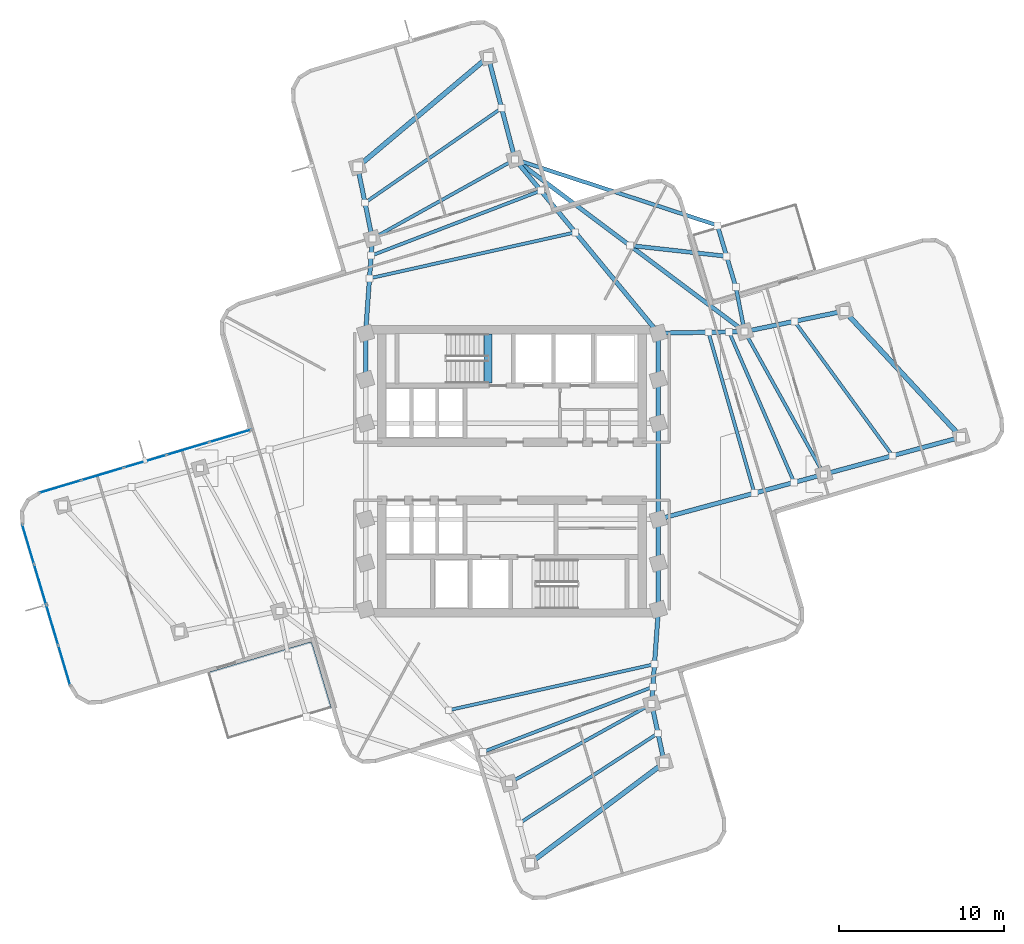
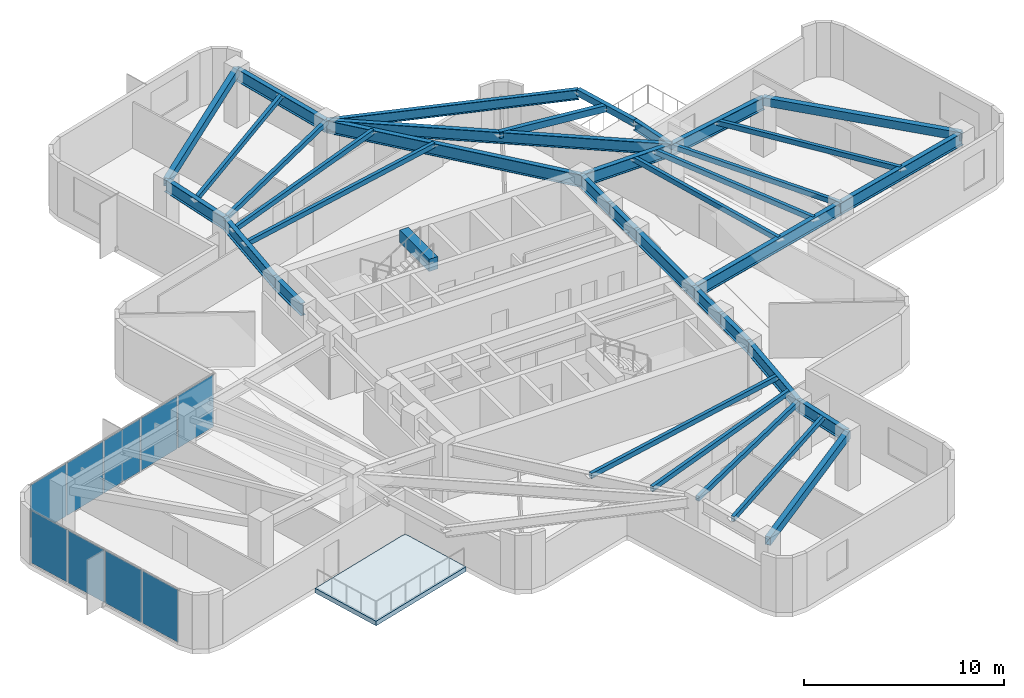
# One storey, part 4 of 11: 37 beams, 9 plates, 1 slab, 2 elements without a shape of their own.
"""IFC4 building model written with IfcOpenShell, lengths in metres."""

from ifc_helpers import new_model, si_unit, direction, frame, origin, origin_2d, place, context, subcontext, project, spatial, polyline, rectangle, hollow_rectangle, i_section, outline, extrude, material, layer, layer_set, material_profile, profile_set, type_object, element, aggregate, save


model = new_model("IFC4")

# Units and contexts
model_context = context("Model", 3, precision=1e-05, world=origin(), true_north=direction((0.0, 1.0)))
body_context = subcontext(model_context, "Body", "Model", "MODEL_VIEW")
ifc_project = project(units=[si_unit("LENGTHUNIT", "METRE"), si_unit("AREAUNIT", "SQUARE_METRE"), si_unit("VOLUMEUNIT", "CUBIC_METRE"), si_unit("PLANEANGLEUNIT", "RADIAN"), si_unit("MASSUNIT", "GRAM", prefix="KILO")], contexts=[model_context])

# Site, building, storey
site_placement = place(None, origin())
site = spatial("IfcSite", under=ifc_project, at=site_placement, CompositionType="ELEMENT")
building_placement = place(site_placement, origin())
building = spatial("IfcBuilding", under=site, at=building_placement, Name="Solmarez Civic Tower", CompositionType="ELEMENT")
storey_placement = place(building_placement, frame((0.0, 0.0, 141.47998046875)))
storey = spatial("IfcBuildingStorey", under=building, at=storey_placement, Name="L37", CompositionType="ELEMENT", Elevation=141.47998046875)

# Beams
ifc_material_1 = material(Name="Steel S355", Category="steel")
ifc_material_profile_1 = material_profile(ifc_material_1, hollow_rectangle(XDim=0.199951171875, YDim=0.300048828125, WallThickness=0.011962890625, at=origin_2d()), Name="HSS300X200X12")
ifc_profile_set_1 = profile_set([ifc_material_profile_1], Name="Steel S355")
beam_type_1 = type_object("IfcBeamType", Name="BM-JS-HSS300X200", PredefinedType="JOIST", material=ifc_profile_set_1)
beam_1_placement = place(storey_placement, frame((18.860107421875, -0.18310546875, 3.169921875), z_axis=(-0.485852902718, 0.874040592261, 0.0), x_axis=(-0.874040592261, -0.485852902718, 0.0)))
element("IfcBeam", 1, at=beam_1_placement, inside=storey, type_object=beam_type_1, Name="L37 Secondary Floor Joist BM-L37-EA-T1", PredefinedType="JOIST", context=body_context, shape_type="SweptSolid", body=[
    extrude(hollow_rectangle(XDim=0.199951171875, YDim=0.300048828125, WallThickness=0.011962890625, at=origin_2d()), origin(), (0.0, 0.0, 1.0), 9.87158203125),
])
beam_2_placement = place(storey_placement, frame((23.006103515625, 0.94091796875, 3.169921875), z_axis=(-0.589058914091, 0.808090091345, 0.0), x_axis=(-0.808090091345, -0.589058914091, 0.0)))
element("IfcBeam", 2, at=beam_2_placement, inside=storey, type_object=beam_type_1, Name="L37 Secondary Floor Joist JS-L37-EA-M2", PredefinedType="JOIST", context=body_context, shape_type="SweptSolid", body=[
    extrude(hollow_rectangle(XDim=0.199951171875, YDim=0.300048828125, WallThickness=0.011962890625, at=origin_2d()), origin(), (0.0, 0.0, 1.0), 10.05859375),
])
beam_3_placement = place(storey_placement, frame((14.656005859375, -1.323974609375, 3.169921875), z_axis=(-0.27492825036, 0.961464745664, 0.0), x_axis=(-0.961464745664, -0.27492825036, 0.0)))
element("IfcBeam", 3, at=beam_3_placement, inside=storey, type_object=beam_type_1, Name="L37 Secondary Floor Joist JS-L37-EA-M11", PredefinedType="JOIST", context=body_context, shape_type="SweptSolid", body=[
    extrude(hollow_rectangle(XDim=0.199951171875, YDim=0.300048828125, WallThickness=0.011962890625, at=origin_2d()), origin(), (0.0, 0.0, 1.0), 10.118896484375),
])
beam_4_placement = place(storey_placement, frame((17.05810546875, -0.672119140625, 3.169921875), z_axis=(-0.396735074316, 0.917933157048, 0.0), x_axis=(-0.917933157048, -0.396735074316, 0.0)))
element("IfcBeam", 4, at=beam_4_placement, inside=storey, type_object=beam_type_1, Name="L37 Secondary Floor Joist JS-L37-EA-M12", PredefinedType="JOIST", context=body_context, shape_type="SweptSolid", body=[
    extrude(hollow_rectangle(XDim=0.199951171875, YDim=0.300048828125, WallThickness=0.011962890625, at=origin_2d()), origin(), (0.0, 0.0, 1.0), 9.91357421875),
])
beam_5_placement = place(storey_placement, frame((0.18310546875, 18.860107421875, 3.169921875), z_axis=(-0.874040592261, -0.485852902718, 0.0), x_axis=(0.485852902718, -0.874040592261, 0.0)))
element("IfcBeam", 5, at=beam_5_placement, inside=storey, type_object=beam_type_1, Name="L37 Secondary Floor Joist BM-L37-NA-T1", PredefinedType="JOIST", context=body_context, shape_type="SweptSolid", body=[
    extrude(hollow_rectangle(XDim=0.199951171875, YDim=0.300048828125, WallThickness=0.011962890625, at=origin_2d()), origin(), (0.0, 0.0, 1.0), 9.87158203125),
])
beam_6_placement = place(storey_placement, frame((-0.626953125, 21.9560546875, 3.169921875), z_axis=(-0.822185194468, -0.56922008573, 0.0), x_axis=(0.56922008573, -0.822185194468, 0.0)))
element("IfcBeam", 6, at=beam_6_placement, inside=storey, type_object=beam_type_1, Name="L37 Secondary Floor Joist JS-L37-NA-M2", PredefinedType="JOIST", context=body_context, shape_type="SweptSolid", body=[
    extrude(hollow_rectangle(XDim=0.199951171875, YDim=0.300048828125, WallThickness=0.011962890625, at=origin_2d()), origin(), (0.0, 0.0, 1.0), 10.048828125),
])
beam_7_placement = place(storey_placement, frame((3.822998046875, 14.446044921875, 3.169921875), z_axis=(-0.975887310906, -0.218274955988, 0.0), x_axis=(0.218274955988, -0.975887310906, 0.0)))
element("IfcBeam", 7, at=beam_7_placement, inside=storey, type_object=beam_type_1, Name="L37 Secondary Floor Joist JS-L37-NA-M11", PredefinedType="JOIST", context=body_context, shape_type="SweptSolid", body=[
    extrude(hollow_rectangle(XDim=0.199951171875, YDim=0.300048828125, WallThickness=0.011962890625, at=origin_2d()), origin(), (0.0, 0.0, 1.0), 12.745361328125),
])
beam_8_placement = place(storey_placement, frame((1.742919921875, 16.968017578125, 3.169921875), z_axis=(-0.933754408709, -0.357914381125, 0.0), x_axis=(0.357914381125, -0.933754408709, 0.0)))
element("IfcBeam", 8, at=beam_8_placement, inside=storey, type_object=beam_type_1, Name="L37 Secondary Floor Joist JS-L37-NA-M12", PredefinedType="JOIST", context=body_context, shape_type="SweptSolid", body=[
    extrude(hollow_rectangle(XDim=0.199951171875, YDim=0.300048828125, WallThickness=0.011962890625, at=origin_2d()), origin(), (0.0, 0.0, 1.0), 10.989013671875),
])
beam_9_placement = place(storey_placement, frame((-0.18310546875, -18.860107421875, 3.169921875), z_axis=(0.874040592261, 0.485852902718, 0.0), x_axis=(-0.485852902718, 0.874040592261, 0.0)))
element("IfcBeam", 9, at=beam_9_placement, inside=storey, type_object=beam_type_1, Name="L37 Secondary Floor Joist BM-L37-SA-T1", PredefinedType="JOIST", context=body_context, shape_type="SweptSolid", body=[
    extrude(hollow_rectangle(XDim=0.199951171875, YDim=0.300048828125, WallThickness=0.011962890625, at=origin_2d()), origin(), (0.0, 0.0, 1.0), 9.87158203125),
])
beam_10_placement = place(storey_placement, frame((0.449951171875, -21.279052734375, 3.169921875), z_axis=(0.83864684805, 0.54467555871, 0.0), x_axis=(-0.54467555871, 0.83864684805, 0.0)))
element("IfcBeam", 10, at=beam_10_placement, inside=storey, type_object=beam_type_1, Name="L37 Secondary Floor Joist JS-L37-SA-M2", PredefinedType="JOIST", context=body_context, shape_type="SweptSolid", body=[
    extrude(hollow_rectangle(XDim=0.199951171875, YDim=0.300048828125, WallThickness=0.011962890625, at=origin_2d()), origin(), (0.0, 0.0, 1.0), 9.987548828125),
])
beam_11_placement = place(storey_placement, frame((-3.822998046875, -14.446044921875, 3.169921875), z_axis=(0.975887310906, 0.218274955988, 0.0), x_axis=(-0.218274955988, 0.975887310906, 0.0)))
element("IfcBeam", 11, at=beam_11_placement, inside=storey, type_object=beam_type_1, Name="L37 Secondary Floor Joist JS-L37-SA-M11", PredefinedType="JOIST", context=body_context, shape_type="SweptSolid", body=[
    extrude(hollow_rectangle(XDim=0.199951171875, YDim=0.300048828125, WallThickness=0.011962890625, at=origin_2d()), origin(), (0.0, 0.0, 1.0), 12.745361328125),
])
beam_12_placement = place(storey_placement, frame((-1.742919921875, -16.968017578125, 3.169921875), z_axis=(0.933754408709, 0.357914381125, 0.0), x_axis=(-0.357914381125, 0.933754408709, 0.0)))
element("IfcBeam", 12, at=beam_12_placement, inside=storey, type_object=beam_type_1, Name="L37 Secondary Floor Joist JS-L37-SA-M12", PredefinedType="JOIST", context=body_context, shape_type="SweptSolid", body=[
    extrude(hollow_rectangle(XDim=0.199951171875, YDim=0.300048828125, WallThickness=0.011962890625, at=origin_2d()), origin(), (0.0, 0.0, 1.0), 10.989013671875),
])
ifc_material_2 = material(Name="Concrete C50/60", Category="concrete")
ifc_material_profile_2 = material_profile(ifc_material_2, rectangle(XDim=0.5, YDim=0.75, at=origin_2d()), Name="RC500X750")
ifc_profile_set_2 = profile_set([ifc_material_profile_2], Name="Concrete C50/60")
beam_type_2 = type_object("IfcBeamType", Name="BM-PR-RC500X750", PredefinedType="BEAM", material=ifc_profile_set_2)
beam_13_placement = place(storey_placement, frame((-1.449951171875, 5.340087890625, 3.23291015625), z_axis=(0.0, 1.0, 0.0), x_axis=(-1.0, 0.0, 0.0)))
element("IfcBeam", 13, at=beam_13_placement, inside=storey, type_object=beam_type_2, Name="L37 North Stair Threshold Beam", PredefinedType="BEAM", context=body_context, shape_type="SweptSolid", body=[
    extrude(rectangle(XDim=0.5, YDim=0.75, at=origin_2d()), origin(), (0.0, 0.0, 1.0), 2.9599609375),
])
ifc_material_profile_3 = material_profile(ifc_material_1, i_section(OverallWidth=0.25390625, OverallDepth=0.68798828125, WebThickness=0.01318359375, FlangeThickness=0.02099609375, at=origin_2d()), Name="W27X102")
ifc_profile_set_3 = profile_set([ifc_material_profile_3], Name="Steel S355")
beam_type_3 = type_object("IfcBeamType", Name="BM-PR-W27X102", PredefinedType="BEAM", material=ifc_profile_set_3)
beam_14_placement = place(storey_placement, frame((14.06396484375, 8.445068359375, 2.97607421875), z_axis=(-0.799878431775, 0.600162056766, 0.0), x_axis=(-0.600162056766, -0.799878431775, 0.0)))
element("IfcBeam", 14, at=beam_14_placement, inside=storey, type_object=beam_type_3, Name="L37 Primary Floor Beam BM-L37-BALC-NEC", PredefinedType="BEAM", context=body_context, shape_type="SweptSolid", body=[
    extrude(i_section(OverallWidth=0.25390625, OverallDepth=0.68798828125, WebThickness=0.01318359375, FlangeThickness=0.02099609375, at=origin_2d()), origin(), (0.0, 0.0, 1.0), 17.353759765625),
])
ifc_material_profile_4 = material_profile(ifc_material_1, i_section(OverallWidth=0.26708984375, OverallDepth=0.761962890625, WebThickness=0.014404296875, FlangeThickness=0.021484375, at=origin_2d()), Name="W30X116")
ifc_profile_set_4 = profile_set([ifc_material_profile_4], Name="Steel S355")
beam_type_4 = type_object("IfcBeamType", Name="BM-PR-W30X116", PredefinedType="BEAM", material=ifc_profile_set_4)
for number, where, z_axis, x_axis, name in (
    (15, (-8.85009765625, 5.550048828125, 2.93896484375), (0.0, 1.0, 0.0), (-1.0, 0.0, 0.0), "L37 Primary Floor Beam BM-L37-HC4-HC9"),
    (16, (8.85009765625, -8.35009765625, 2.93896484375), (0.0, 1.0, 0.0), (-1.0, 0.0, 0.0), "L37 Primary Floor Beam BM-L37-HC10-HC5"),
):
    element("IfcBeam", number, at=place(storey_placement, frame(where, z_axis=z_axis, x_axis=x_axis)), inside=storey, type_object=beam_type_4, Name=name, PredefinedType="BEAM", context=body_context, shape_type="SweptSolid", body=[
        extrude(i_section(OverallWidth=0.26708984375, OverallDepth=0.761962890625, WebThickness=0.014404296875, FlangeThickness=0.021484375, at=origin_2d()), origin(), (0.0, 0.0, 1.0), 2.800048828125),
    ])
beam_15_placement = place(storey_placement, frame((8.85009765625, -5.550048828125, 2.93896484375), z_axis=(0.0, 1.0, 0.0), x_axis=(-1.0, 0.0, 0.0)))
element("IfcBeam", 17, at=beam_15_placement, inside=storey, type_object=beam_type_4, Name="L37 Primary Floor Beam BM-L37-HC5-HC6", PredefinedType="BEAM", context=body_context, shape_type="SweptSolid", body=[
    extrude(i_section(OverallWidth=0.26708984375, OverallDepth=0.761962890625, WebThickness=0.014404296875, FlangeThickness=0.021484375, at=origin_2d()), origin(), (0.0, 0.0, 1.0), 2.650146484375),
])
beam_16_placement = place(storey_placement, frame((8.85009765625, -2.89990234375, 2.93896484375), z_axis=(0.0, 1.0, 0.0), x_axis=(-1.0, 0.0, 0.0)))
element("IfcBeam", 18, at=beam_16_placement, inside=storey, type_object=beam_type_4, Name="L37 Primary Floor Beam BM-L37-HC6-HC7", PredefinedType="BEAM", context=body_context, shape_type="SweptSolid", body=[
    extrude(i_section(OverallWidth=0.26708984375, OverallDepth=0.761962890625, WebThickness=0.014404296875, FlangeThickness=0.021484375, at=origin_2d()), origin(), (0.0, 0.0, 1.0), 5.7998046875),
])
beam_17_placement = place(storey_placement, frame((8.85009765625, 2.89990234375, 2.93896484375), z_axis=(0.0, 1.0, 0.0), x_axis=(-1.0, 0.0, 0.0)))
element("IfcBeam", 19, at=beam_17_placement, inside=storey, type_object=beam_type_4, Name="L37 Primary Floor Beam BM-L37-HC7-HC8", PredefinedType="BEAM", context=body_context, shape_type="SweptSolid", body=[
    extrude(i_section(OverallWidth=0.26708984375, OverallDepth=0.761962890625, WebThickness=0.014404296875, FlangeThickness=0.021484375, at=origin_2d()), origin(), (0.0, 0.0, 1.0), 2.650146484375),
])
beam_18_placement = place(storey_placement, frame((8.85009765625, 5.550048828125, 2.93896484375), z_axis=(0.0, 1.0, 0.0), x_axis=(-1.0, 0.0, 0.0)))
element("IfcBeam", 20, at=beam_18_placement, inside=storey, type_object=beam_type_4, Name="L37 Primary Floor Beam BM-L37-HC8-HC11", PredefinedType="BEAM", context=body_context, shape_type="SweptSolid", body=[
    extrude(i_section(OverallWidth=0.26708984375, OverallDepth=0.761962890625, WebThickness=0.014404296875, FlangeThickness=0.021484375, at=origin_2d()), origin(), (0.0, 0.0, 1.0), 2.800048828125),
])
beam_19_placement = place(storey_placement, frame((8.85009765625, -2.89990234375, 2.93896484375), z_axis=(0.965086289853, 0.261932153691, 0.0), x_axis=(-0.261932153691, 0.965086289853, 0.0)))
element("IfcBeam", 21, at=beam_19_placement, inside=storey, type_object=beam_type_4, Name="L37 Primary Floor Beam BM-L37-EA-R1A", PredefinedType="BEAM", context=body_context, shape_type="SweptSolid", body=[
    extrude(i_section(OverallWidth=0.26708984375, OverallDepth=0.761962890625, WebThickness=0.014404296875, FlangeThickness=0.021484375, at=origin_2d()), origin(), (0.0, 0.0, 1.0), 10.3720703125),
])
beam_20_placement = place(storey_placement, frame((8.85009765625, 8.35009765625, 2.93896484375), z_axis=(0.999834147765, 0.018212000538, 0.0), x_axis=(-0.018212000538, 0.999834147765, 0.0)))
element("IfcBeam", 22, at=beam_20_placement, inside=storey, type_object=beam_type_4, Name="L37 Primary Floor Beam BM-L37-EA-R1B", PredefinedType="BEAM", context=body_context, shape_type="SweptSolid", body=[
    extrude(i_section(OverallWidth=0.26708984375, OverallDepth=0.761962890625, WebThickness=0.014404296875, FlangeThickness=0.021484375, at=origin_2d()), origin(), (0.0, 0.0, 1.0), 5.21484375),
])
beam_21_placement = place(storey_placement, frame((18.860107421875, -0.18310546875, 2.93896484375), z_axis=(0.965195296066, 0.261530190326, 0.0), x_axis=(-0.261530190326, 0.965195296066, 0.0)))
element("IfcBeam", 23, at=beam_21_placement, inside=storey, type_object=beam_type_4, Name="L37 Primary Floor Beam BM-L37-EA-R2A", PredefinedType="BEAM", context=body_context, shape_type="SweptSolid", body=[
    extrude(i_section(OverallWidth=0.26708984375, OverallDepth=0.761962890625, WebThickness=0.014404296875, FlangeThickness=0.021484375, at=origin_2d()), origin(), (0.0, 0.0, 1.0), 8.592041015625),
])
beam_22_placement = place(storey_placement, frame((14.06396484375, 8.445068359375, 2.93896484375), z_axis=(0.979311082476, 0.202360578523, 0.0), x_axis=(-0.202360578523, 0.979311082476, 0.0)))
element("IfcBeam", 24, at=beam_22_placement, inside=storey, type_object=beam_type_4, Name="L37 Primary Floor Beam BM-L37-EA-R2B", PredefinedType="BEAM", context=body_context, shape_type="SweptSolid", body=[
    extrude(i_section(OverallWidth=0.26708984375, OverallDepth=0.761962890625, WebThickness=0.014404296875, FlangeThickness=0.021484375, at=origin_2d()), origin(), (0.0, 0.0, 1.0), 6.161376953125),
])
beam_23_placement = place(storey_placement, frame((8.85009765625, 8.35009765625, 2.93896484375), z_axis=(-0.636218453069, 0.77150896299, 0.0), x_axis=(-0.77150896299, -0.636218453069, 0.0)))
element("IfcBeam", 25, at=beam_23_placement, inside=storey, type_object=beam_type_4, Name="L37 Primary Floor Beam BM-L37-NA-R1A", PredefinedType="BEAM", context=body_context, shape_type="SweptSolid", body=[
    extrude(i_section(OverallWidth=0.26708984375, OverallDepth=0.761962890625, WebThickness=0.014404296875, FlangeThickness=0.021484375, at=origin_2d()), origin(), (0.0, 0.0, 1.0), 13.62255859375),
])
beam_24_placement = place(storey_placement, frame((-8.85009765625, 8.35009765625, 2.93896484375), z_axis=(0.070707897353, 0.997497064282, 0.0), x_axis=(-0.997497064282, 0.070707897353, 0.0)))
element("IfcBeam", 26, at=beam_24_placement, inside=storey, type_object=beam_type_4, Name="L37 Primary Floor Beam BM-L37-NA-R1B", PredefinedType="BEAM", context=body_context, shape_type="SweptSolid", body=[
    extrude(i_section(OverallWidth=0.26708984375, OverallDepth=0.761962890625, WebThickness=0.014404296875, FlangeThickness=0.021484375, at=origin_2d()), origin(), (0.0, 0.0, 1.0), 5.728271484375),
])
beam_25_placement = place(storey_placement, frame((0.18310546875, 18.860107421875, 2.93896484375), z_axis=(-0.25312990791, 0.967432297229, 0.0), x_axis=(-0.967432297229, -0.25312990791, 0.0)))
element("IfcBeam", 27, at=beam_25_placement, inside=storey, type_object=beam_type_4, Name="L37 Primary Floor Beam BM-L37-NA-R2A", PredefinedType="BEAM", context=body_context, shape_type="SweptSolid", body=[
    extrude(i_section(OverallWidth=0.26708984375, OverallDepth=0.761962890625, WebThickness=0.014404296875, FlangeThickness=0.021484375, at=origin_2d()), origin(), (0.0, 0.0, 1.0), 6.400390625),
])
beam_26_placement = place(storey_placement, frame((-8.445068359375, 14.06396484375, 2.93896484375), z_axis=(-0.200222099018, 0.979750535118, 0.0), x_axis=(-0.979750535118, -0.200222099018, 0.0)))
element("IfcBeam", 28, at=beam_26_placement, inside=storey, type_object=beam_type_4, Name="L37 Primary Floor Beam BM-L37-NA-R2B", PredefinedType="BEAM", context=body_context, shape_type="SweptSolid", body=[
    extrude(i_section(OverallWidth=0.26708984375, OverallDepth=0.761962890625, WebThickness=0.014404296875, FlangeThickness=0.021484375, at=origin_2d()), origin(), (0.0, 0.0, 1.0), 4.434814453125),
])
beam_27_placement = place(storey_placement, frame((8.85009765625, -8.35009765625, 2.93896484375), z_axis=(-0.070707897353, -0.997497064282, 0.0), x_axis=(0.997497064282, -0.070707897353, 0.0)))
element("IfcBeam", 29, at=beam_27_placement, inside=storey, type_object=beam_type_4, Name="L37 Primary Floor Beam BM-L37-SA-R1B", PredefinedType="BEAM", context=body_context, shape_type="SweptSolid", body=[
    extrude(i_section(OverallWidth=0.26708984375, OverallDepth=0.761962890625, WebThickness=0.014404296875, FlangeThickness=0.021484375, at=origin_2d()), origin(), (0.0, 0.0, 1.0), 5.728271484375),
])
beam_28_placement = place(storey_placement, frame((8.445068359375, -14.06396484375, 2.93896484375), z_axis=(0.210056967216, -0.977689148208, 0.0), x_axis=(0.977689148208, 0.210056967216, 0.0)))
element("IfcBeam", 30, at=beam_28_placement, inside=storey, type_object=beam_type_4, Name="L37 Primary Floor Beam BM-L37-SA-R2B", PredefinedType="BEAM", context=body_context, shape_type="SweptSolid", body=[
    extrude(i_section(OverallWidth=0.26708984375, OverallDepth=0.761962890625, WebThickness=0.014404296875, FlangeThickness=0.021484375, at=origin_2d()), origin(), (0.0, 0.0, 1.0), 3.632080078125),
])
ifc_material_profile_5 = material_profile(ifc_material_1, hollow_rectangle(XDim=0.25, YDim=0.39990234375, WallThickness=0.01611328125, at=origin_2d()), Name="HSS400X250X16")
ifc_profile_set_5 = profile_set([ifc_material_profile_5], Name="Steel S355")
beam_type_5 = type_object("IfcBeamType", Name="BM-SP-HSS400X250", PredefinedType="SPANDREL", material=ifc_profile_set_5)
beam_29_placement = place(storey_placement, frame((13.533935546875, 11.1298828125, 3.1201171875), z_axis=(-0.285607467662, 0.958346688008, 0.0), x_axis=(-0.958346688008, -0.285607467662, 0.0)))
element("IfcBeam", 31, at=beam_29_placement, inside=storey, type_object=beam_type_5, Name="L37 Perimeter Spandrel Beam BM-L37-BALC-NEE", PredefinedType="SPANDREL", context=body_context, shape_type="SweptSolid", body=[
    extrude(hollow_rectangle(XDim=0.25, YDim=0.39990234375, WallThickness=0.01611328125, at=origin_2d()), origin(), (0.0, 0.0, 1.0), 3.900390625),
])
beam_30_placement = place(storey_placement, frame((7.123046875, 13.652099609375, 3.1201171875), z_axis=(0.993834607038, -0.110872782293, 0.0), x_axis=(0.110872782293, 0.993834607038, 0.0)))
element("IfcBeam", 32, at=beam_30_placement, inside=storey, type_object=beam_type_5, Name="L37 Perimeter Spandrel Beam BM-L37-BALC-NEM", PredefinedType="SPANDREL", context=body_context, shape_type="SweptSolid", body=[
    extrude(hollow_rectangle(XDim=0.25, YDim=0.39990234375, WallThickness=0.01611328125, at=origin_2d()), origin(), (0.0, 0.0, 1.0), 5.890380859375),
])
ifc_material_profile_6 = material_profile(ifc_material_1, hollow_rectangle(XDim=0.300048828125, YDim=0.5, WallThickness=0.02001953125, at=origin_2d()), Name="HSS500X300X20")
ifc_profile_set_6 = profile_set([ifc_material_profile_6], Name="Steel S355")
beam_type_6 = type_object("IfcBeamType", Name="BM-SP-HSS500X300", PredefinedType="SPANDREL", material=ifc_profile_set_6)
beam_31_placement = place(storey_placement, frame((27.153076171875, 2.06396484375, 3.070068359375), z_axis=(-0.679007792344, 0.734131063187, 0.0), x_axis=(-0.734131063187, -0.679007792344, 0.0)))
element("IfcBeam", 33, at=beam_31_placement, inside=storey, type_object=beam_type_6, Name="L37 Perimeter Spandrel Beam BM-L37-EA-T2", PredefinedType="SPANDREL", context=body_context, shape_type="SweptSolid", body=[
    extrude(hollow_rectangle(XDim=0.300048828125, YDim=0.5, WallThickness=0.02001953125, at=origin_2d()), origin(), (0.0, 0.0, 1.0), 10.390380859375),
])
beam_32_placement = place(storey_placement, frame((-1.43701171875, 25.052001953125, 3.070068359375), z_axis=(-0.765206846446, -0.643784499777, 0.0), x_axis=(0.643784499777, -0.765206846446, 0.0)))
element("IfcBeam", 34, at=beam_32_placement, inside=storey, type_object=beam_type_6, Name="L37 Perimeter Spandrel Beam BM-L37-NA-T2", PredefinedType="SPANDREL", context=body_context, shape_type="SweptSolid", body=[
    extrude(hollow_rectangle(XDim=0.300048828125, YDim=0.5, WallThickness=0.02001953125, at=origin_2d()), origin(), (0.0, 0.0, 1.0), 10.31884765625),
])
beam_33_placement = place(storey_placement, frame((1.0830078125, -23.697021484375, 3.070068359375), z_axis=(0.800553888314, 0.599260771205, 0.0), x_axis=(-0.599260771205, 0.800553888314, 0.0)))
element("IfcBeam", 35, at=beam_33_placement, inside=storey, type_object=beam_type_6, Name="L37 Perimeter Spandrel Beam BM-L37-SA-T2", PredefinedType="SPANDREL", context=body_context, shape_type="SweptSolid", body=[
    extrude(hollow_rectangle(XDim=0.300048828125, YDim=0.5, WallThickness=0.02001953125, at=origin_2d()), origin(), (0.0, 0.0, 1.0), 10.149169921875),
])
ifc_material_profile_7 = material_profile(ifc_material_1, i_section(OverallWidth=0.22900390625, OverallDepth=0.612060546875, WebThickness=0.011962890625, FlangeThickness=0.01953125, at=origin_2d()), Name="W24X84")
ifc_profile_set_7 = profile_set([ifc_material_profile_7], Name="Steel S355")
beam_type_7 = type_object("IfcBeamType", Name="BM-SP-W24X84", PredefinedType="SPANDREL", material=ifc_profile_set_7)
beam_34_placement = place(storey_placement, frame((14.06396484375, 8.445068359375, 3.013916015625), z_axis=(-0.19367935475, 0.981064884472, 0.0), x_axis=(-0.981064884472, -0.19367935475, 0.0)))
element("IfcBeam", 36, at=beam_34_placement, inside=storey, type_object=beam_type_7, Name="L37 Perimeter Spandrel Beam BM-L37-BALC-NE1", PredefinedType="SPANDREL", context=body_context, shape_type="SweptSolid", body=[
    extrude(i_section(OverallWidth=0.22900390625, OverallDepth=0.612060546875, WebThickness=0.011962890625, FlangeThickness=0.01953125, at=origin_2d()), origin(), (0.0, 0.0, 1.0), 2.736572265625),
])
beam_35_placement = place(storey_placement, frame((0.18310546875, 18.860107421875, 3.013916015625), z_axis=(0.950685834531, -0.310155515866, 0.0), x_axis=(0.310155515866, 0.950685834531, 0.0)))
element("IfcBeam", 37, at=beam_35_placement, inside=storey, type_object=beam_type_7, Name="L37 Perimeter Spandrel Beam BM-L37-BALC-NE2", PredefinedType="SPANDREL", context=body_context, shape_type="SweptSolid", body=[
    extrude(i_section(OverallWidth=0.22900390625, OverallDepth=0.612060546875, WebThickness=0.011962890625, FlangeThickness=0.01953125, at=origin_2d()), origin(), (0.0, 0.0, 1.0), 12.87158203125),
])

# Curtain wall, plates
ifc_material_3 = material(Name="Bronze Anodised Aluminium EN AW-6063 T6", Category="aluminium")
ifc_layer_1 = layer(ifc_material_3, 0.155029296875)
ifc_layer_set_1 = layer_set([ifc_layer_1], Name="Bronze Anodised Aluminium EN AW-6063 T6")
curtain_wall_type = type_object("IfcCurtainWallType", Name="CW-SYS-6", PredefinedType="NOTDEFINED", material=ifc_layer_set_1)
curtain_wall_1_placement = place(storey_placement, origin())
curtain_wall_1 = element("IfcCurtainWall", 38, at=curtain_wall_1_placement, inside=storey, type_object=curtain_wall_type, Name="L37 Stick-Built Curtain Wall 1", PredefinedType="NOTDEFINED")
ifc_material_4 = material(Name="Solar Control Low-E Laminated Vision Glass", Category="glass")
ifc_layer_2 = layer(ifc_material_4, 0.031982421875)
ifc_layer_set_2 = layer_set([ifc_layer_2], Name="Solar Control Low-E Laminated Vision Glass")
plate_type = type_object("IfcPlateType", Name="CWP-GLAZ-32", PredefinedType="CURTAIN_PANEL", material=ifc_layer_set_2)
plate_1_placement = place(storey_placement, frame((-27.065673828125, -11.734375, 0.06005859375), z_axis=(0.0, 0.0, 1.0), x_axis=(-0.285717022263, 0.958314031615, 0.0)))
plate_1 = element("IfcPlate", 39, at=plate_1_placement, type_object=plate_type, Name="CWS6 panel 1.1", PredefinedType="CURTAIN_PANEL", context=body_context, shape_type="SweptSolid", body=[
    extrude(rectangle(XDim=2.455322265625, YDim=0.031982421875, at=origin_2d()), origin(), (0.0, 0.0, 1.0), 3.199951171875),
])
plate_2_placement = place(storey_placement, frame((-27.792236328125, -9.2978515625, 0.06005859375), z_axis=(0.0, 0.0, 1.0), x_axis=(-0.285717022263, 0.958314031615, 0.0)))
plate_2 = element("IfcPlate", 40, at=plate_2_placement, type_object=plate_type, Name="CWS6 panel 2.1", PredefinedType="CURTAIN_PANEL", context=body_context, shape_type="SweptSolid", body=[
    extrude(rectangle(XDim=2.490234375, YDim=0.031982421875, at=origin_2d()), origin(), (0.0, 0.0, 1.0), 3.199951171875),
])
plate_3_placement = place(storey_placement, frame((-28.523681640625, -6.84423828125, 0.06005859375), z_axis=(0.0, 0.0, 1.0), x_axis=(-0.285717022263, 0.958314031615, 0.0)))
plate_3 = element("IfcPlate", 41, at=plate_3_placement, type_object=plate_type, Name="CWS6 panel 3.1", PredefinedType="CURTAIN_PANEL", context=body_context, shape_type="SweptSolid", body=[
    extrude(rectangle(XDim=2.490234375, YDim=0.031982421875, at=origin_2d()), origin(), (0.0, 0.0, 1.0), 3.199951171875),
])
plate_4_placement = place(storey_placement, frame((-29.250244140625, -4.407470703125, 0.06005859375), z_axis=(0.0, 0.0, 1.0), x_axis=(-0.285717022263, 0.958314031615, 0.0)))
plate_4 = element("IfcPlate", 42, at=plate_4_placement, type_object=plate_type, Name="CWS6 panel 4.1", PredefinedType="CURTAIN_PANEL", context=body_context, shape_type="SweptSolid", body=[
    extrude(rectangle(XDim=2.455322265625, YDim=0.031982421875, at=origin_2d()), origin(), (0.0, 0.0, 1.0), 3.199951171875),
])
aggregate(curtain_wall_1, [plate_1, plate_2, plate_3, plate_4])

curtain_wall_2_placement = place(storey_placement, origin())
curtain_wall_2 = element("IfcCurtainWall", 43, at=curtain_wall_2_placement, inside=storey, type_object=curtain_wall_type, Name="L37 Stick-Built Curtain Wall 2", PredefinedType="NOTDEFINED")
plate_5_placement = place(storey_placement, frame((-27.3193359375, -0.93359375, 0.06005859375), z_axis=(0.0, 0.0, 1.0), x_axis=(0.958344150964, 0.285615980492, 0.0)))
plate_5 = element("IfcPlate", 44, at=plate_5_placement, type_object=plate_type, Name="CWS6 panel 1.1", PredefinedType="CURTAIN_PANEL", context=body_context, shape_type="SweptSolid", body=[
    extrude(rectangle(XDim=2.586669921875, YDim=0.031982421875, at=origin_2d()), origin(), (0.0, 0.0, 1.0), 3.199951171875),
])
plate_6_placement = place(storey_placement, frame((-24.756591796875, -0.169921875, 0.06005859375), z_axis=(0.0, 0.0, 1.0), x_axis=(0.958344150964, 0.285615980492, 0.0)))
plate_6 = element("IfcPlate", 45, at=plate_6_placement, type_object=plate_type, Name="CWS6 panel 2.1", PredefinedType="CURTAIN_PANEL", context=body_context, shape_type="SweptSolid", body=[
    extrude(rectangle(XDim=2.621826171875, YDim=0.031982421875, at=origin_2d()), origin(), (0.0, 0.0, 1.0), 3.199951171875),
])
plate_7_placement = place(storey_placement, frame((-22.177001953125, 0.59912109375, 0.06005859375), z_axis=(0.0, 0.0, 1.0), x_axis=(0.958344150964, 0.285615980492, 0.0)))
plate_7 = element("IfcPlate", 46, at=plate_7_placement, type_object=plate_type, Name="CWS6 panel 3.1", PredefinedType="CURTAIN_PANEL", context=body_context, shape_type="SweptSolid", body=[
    extrude(rectangle(XDim=2.621826171875, YDim=0.031982421875, at=origin_2d()), origin(), (0.0, 0.0, 1.0), 3.199951171875),
])
plate_8_placement = place(storey_placement, frame((-19.597412109375, 1.367919921875, 0.06005859375), z_axis=(0.0, 0.0, 1.0), x_axis=(0.958344150964, 0.285615980492, 0.0)))
plate_8 = element("IfcPlate", 47, at=plate_8_placement, type_object=plate_type, Name="CWS6 panel 4.1", PredefinedType="CURTAIN_PANEL", context=body_context, shape_type="SweptSolid", body=[
    extrude(rectangle(XDim=2.621826171875, YDim=0.031982421875, at=origin_2d()), origin(), (0.0, 0.0, 1.0), 3.199951171875),
])
plate_9_placement = place(storey_placement, frame((-17.03466796875, 2.131591796875, 0.06005859375), z_axis=(0.0, 0.0, 1.0), x_axis=(0.958344150964, 0.285615980492, 0.0)))
plate_9 = element("IfcPlate", 48, at=plate_9_placement, type_object=plate_type, Name="CWS6 panel 5.1", PredefinedType="CURTAIN_PANEL", context=body_context, shape_type="SweptSolid", body=[
    extrude(rectangle(XDim=2.586669921875, YDim=0.031982421875, at=origin_2d()), origin(), (0.0, 0.0, 1.0), 3.199951171875),
])
aggregate(curtain_wall_2, [plate_5, plate_6, plate_7, plate_8, plate_9])

# Slab
ifc_layer_3 = layer(ifc_material_2, 0.280029296875)
ifc_layer_set_3 = layer_set([ifc_layer_3], Name="Concrete C50/60")
slab_type = type_object("IfcSlabType", Name="SLAB-TOWER-280", PredefinedType="FLOOR", material=ifc_layer_set_3)
slab_placement = place(storey_placement, frame((0.0, 0.0, -0.280029296875)))
element("IfcSlab", 49, at=slab_placement, inside=storey, type_object=slab_type, Name="L37 Re-entrant Corner Winter-Garden Balcony SW", PredefinedType="FLOOR", context=body_context, shape_type="SweptSolid", body=[
    extrude(outline(polyline([(-10.9169921875, -14.31591796875), (-12.056884765625, -10.492919921875), (-12.14599609375, -10.346923828125), (-12.31689453125, -10.35205078125), (-18.39208984375, -12.1630859375), (-17.19189453125, -16.18603515625), (-10.9169921875, -14.31591796875)])), origin(), (0.0, 0.0, 1.0), 0.280029296875),
])

save(model, "model.ifc")
